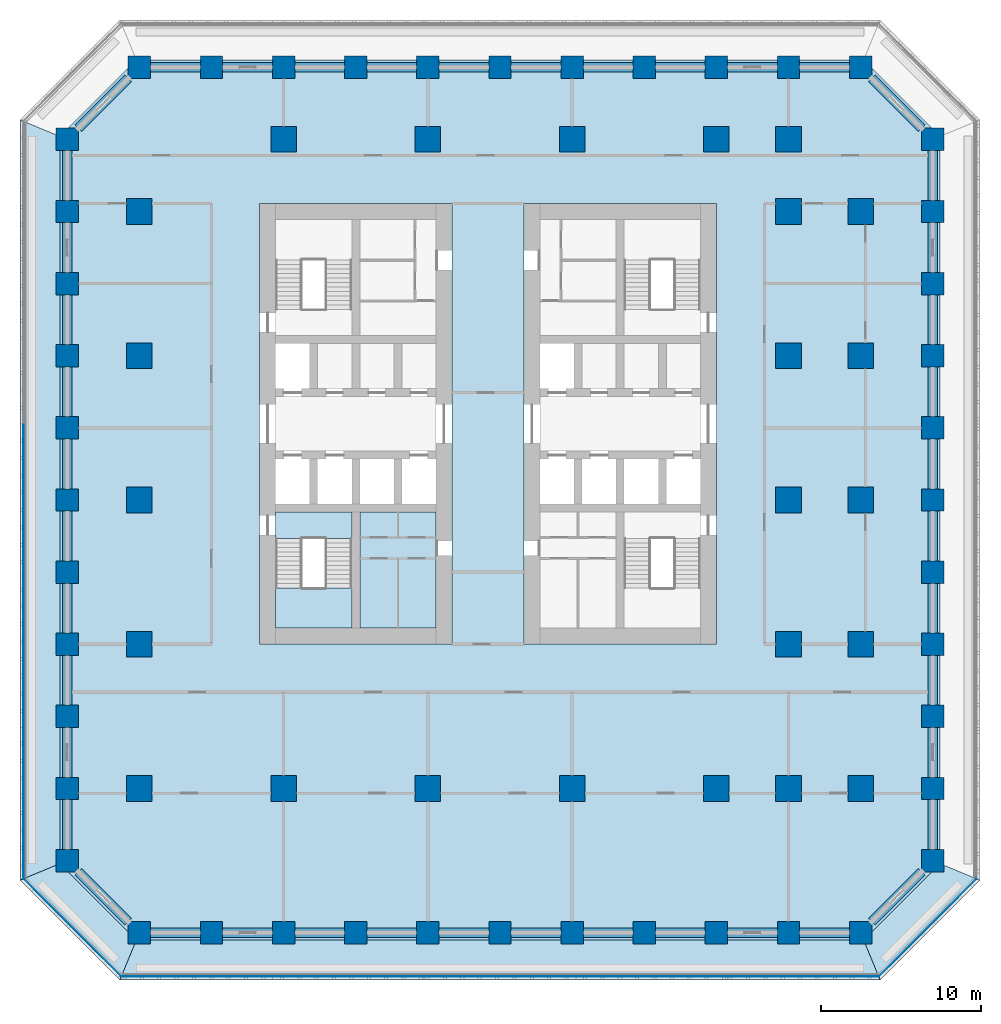
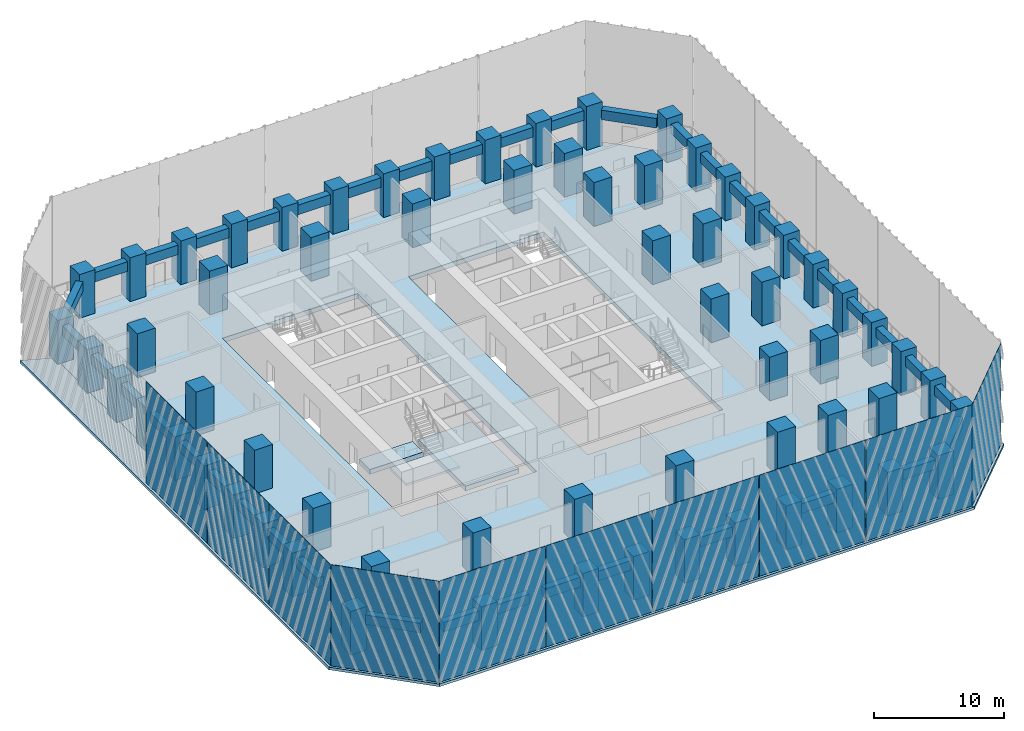
# One storey, part 1 of 13: 68 columns, 44 beams, 10 plates, 8 slabs, 1 element without a shape of its own.
"""IFC4 building model written with IfcOpenShell, lengths in metres."""

from ifc_helpers import new_model, si_unit, direction, frame, origin, origin_2d, place, context, subcontext, project, spatial, polyline, rectangle, outline, extrude, material, layer, layer_set, material_profile, profile_set, type_object, element, aggregate, save


model = new_model("IFC4")

# Units and contexts
model_context = context("Model", 3, precision=1e-05, world=origin(), true_north=direction((0.0, 1.0)))
body_context = subcontext(model_context, "Body", "Model", "MODEL_VIEW")
ifc_project = project(units=[si_unit("LENGTHUNIT", "METRE"), si_unit("AREAUNIT", "SQUARE_METRE"), si_unit("VOLUMEUNIT", "CUBIC_METRE"), si_unit("PLANEANGLEUNIT", "RADIAN"), si_unit("MASSUNIT", "GRAM", prefix="KILO")], contexts=[model_context])

# Site, building, storey
site_placement = place(None, origin())
site = spatial("IfcSite", under=ifc_project, at=site_placement, CompositionType="ELEMENT")
building_placement = place(site_placement, origin())
building = spatial("IfcBuilding", under=site, at=building_placement, Name="Corbel Stack Research Tower", CompositionType="ELEMENT")
storey_placement = place(building_placement, frame((0.0, 0.0, 66.5)))
storey = spatial("IfcBuildingStorey", under=building, at=storey_placement, Name="L15", CompositionType="ELEMENT", Elevation=66.5)

# Columns
ifc_material_1 = material(Name="Concrete C70/85", Category="concrete")
ifc_material_profile_1 = material_profile(ifc_material_1, rectangle(XDim=1.39990234375, YDim=1.39990234375, at=origin_2d()), Name="RC 1400 x 1400")
ifc_profile_set_1 = profile_set([ifc_material_profile_1], Name="Concrete C70/85")
column_type_1 = type_object("IfcColumnType", Name="C-1400-70", PredefinedType="COLUMN", material=ifc_profile_set_1)
for number, where, z_axis, x_axis, name in (
    (1, (-22.5, -22.5, 0.0), (0.0, 0.0, 1.0), (1.0, 0.0, 0.0), "Column 3/C L15"),
    (2, (-22.5, -18.0, 0.0), (0.0, 0.0, 1.0), (1.0, 0.0, 0.0), "Column 3/D L15"),
    (3, (-22.5, -13.5, 0.0), (0.0, 0.0, 1.0), (1.0, 0.0, 0.0), "Column 3/E L15"),
    (4, (-22.5, -9.0, 0.0), (0.0, 0.0, 1.0), (1.0, 0.0, 0.0), "Column 3/F L15"),
    (5, (-22.5, -4.5, 0.0), (0.0, 0.0, 1.0), (1.0, 0.0, 0.0), "Column 3/G L15"),
    (6, (-22.5, 0.0, 0.0), (0.0, 0.0, 1.0), (1.0, 0.0, 0.0), "Column 3/H L15"),
    (7, (-22.5, 4.5, 0.0), (0.0, 0.0, 1.0), (1.0, 0.0, 0.0), "Column 3/J L15"),
    (8, (-22.5, 9.0, 0.0), (0.0, 0.0, 1.0), (1.0, 0.0, 0.0), "Column 3/K L15"),
    (9, (-22.5, 13.5, 0.0), (0.0, 0.0, 1.0), (1.0, 0.0, 0.0), "Column 3/L L15"),
    (10, (-22.5, 18.0, 0.0), (0.0, 0.0, 1.0), (1.0, 0.0, 0.0), "Column 3/M L15"),
    (11, (-22.5, 22.5, 0.0), (0.0, 0.0, 1.0), (1.0, 0.0, 0.0), "Column 3/N L15"),
    (12, (-18.0, -27.0, 0.0), (0.0, 0.0, 1.0), (1.0, 0.0, 0.0), "Column 4/B L15"),
    (13, (-18.0, 27.0, 0.0), (0.0, 0.0, 1.0), (1.0, 0.0, 0.0), "Column 4/P L15"),
    (14, (-13.5, -27.0, 0.0), (0.0, 0.0, 1.0), (1.0, 0.0, 0.0), "Column 5/B L15"),
    (15, (-13.5, 27.0, 0.0), (0.0, 0.0, 1.0), (1.0, 0.0, 0.0), "Column 5/P L15"),
    (16, (-9.0, -27.0, 0.0), (0.0, 0.0, 1.0), (1.0, 0.0, 0.0), "Column 6/B L15"),
    (17, (-9.0, 27.0, 0.0), (0.0, 0.0, 1.0), (1.0, 0.0, 0.0), "Column 6/P L15"),
    (18, (-4.5, -27.0, 0.0), (0.0, 0.0, 1.0), (1.0, 0.0, 0.0), "Column 7/B L15"),
    (19, (-4.5, 27.0, 0.0), (0.0, 0.0, 1.0), (1.0, 0.0, 0.0), "Column 7/P L15"),
    (20, (0.0, -27.0, 0.0), (0.0, 0.0, 1.0), (1.0, 0.0, 0.0), "Column 8/B L15"),
    (21, (0.0, 27.0, 0.0), (0.0, 0.0, 1.0), (1.0, 0.0, 0.0), "Column 8/P L15"),
    (22, (4.5, -27.0, 0.0), (0.0, 0.0, 1.0), (1.0, 0.0, 0.0), "Column 9/B L15"),
    (23, (4.5, 27.0, 0.0), (0.0, 0.0, 1.0), (1.0, 0.0, 0.0), "Column 9/P L15"),
    (24, (9.0, -27.0, 0.0), (0.0, 0.0, 1.0), (1.0, 0.0, 0.0), "Column 10/B L15"),
    (25, (9.0, 27.0, 0.0), (0.0, 0.0, 1.0), (1.0, 0.0, 0.0), "Column 10/P L15"),
    (26, (13.5, -27.0, 0.0), (0.0, 0.0, 1.0), (1.0, 0.0, 0.0), "Column 11/B L15"),
    (27, (13.5, 27.0, 0.0), (0.0, 0.0, 1.0), (1.0, 0.0, 0.0), "Column 11/P L15"),
    (28, (18.0, -27.0, 0.0), (0.0, 0.0, 1.0), (1.0, 0.0, 0.0), "Column 12/B L15"),
    (29, (18.0, 27.0, 0.0), (0.0, 0.0, 1.0), (1.0, 0.0, 0.0), "Column 12/P L15"),
    (30, (22.5, -27.0, 0.0), (0.0, 0.0, 1.0), (1.0, 0.0, 0.0), "Column 13/B L15"),
    (31, (22.5, 27.0, 0.0), (0.0, 0.0, 1.0), (1.0, 0.0, 0.0), "Column 13/P L15"),
    (32, (27.0, -27.0, 0.0), (0.0, 0.0, 1.0), (1.0, 0.0, 0.0), "Column 14/B L15"),
    (33, (27.0, 27.0, 0.0), (0.0, 0.0, 1.0), (1.0, 0.0, 0.0), "Column 14/P L15"),
    (34, (31.5, -22.5, 0.0), (0.0, 0.0, 1.0), (1.0, 0.0, 0.0), "Column 15/C L15"),
    (35, (31.5, -18.0, 0.0), (0.0, 0.0, 1.0), (1.0, 0.0, 0.0), "Column 15/D L15"),
    (36, (31.5, -13.5, 0.0), (0.0, 0.0, 1.0), (1.0, 0.0, 0.0), "Column 15/E L15"),
    (37, (31.5, -9.0, 0.0), (0.0, 0.0, 1.0), (1.0, 0.0, 0.0), "Column 15/F L15"),
    (38, (31.5, -4.5, 0.0), (0.0, 0.0, 1.0), (1.0, 0.0, 0.0), "Column 15/G L15"),
    (39, (31.5, 0.0, 0.0), (0.0, 0.0, 1.0), (1.0, 0.0, 0.0), "Column 15/H L15"),
    (40, (31.5, 4.5, 0.0), (0.0, 0.0, 1.0), (1.0, 0.0, 0.0), "Column 15/J L15"),
    (41, (31.5, 9.0, 0.0), (0.0, 0.0, 1.0), (1.0, 0.0, 0.0), "Column 15/K L15"),
    (42, (31.5, 13.5, 0.0), (0.0, 0.0, 1.0), (1.0, 0.0, 0.0), "Column 15/L L15"),
    (43, (31.5, 18.0, 0.0), (0.0, 0.0, 1.0), (1.0, 0.0, 0.0), "Column 15/M L15"),
    (44, (31.5, 22.5, 0.0), (0.0, 0.0, 1.0), (1.0, 0.0, 0.0), "Column 15/N L15"),
):
    element("IfcColumn", number, at=place(storey_placement, frame(where, z_axis=z_axis, x_axis=x_axis)), inside=storey, type_object=column_type_1, Name=name, PredefinedType="COLUMN", context=body_context, shape_type="SweptSolid", body=[
        extrude(rectangle(XDim=1.39990234375, YDim=1.39990234375, at=origin_2d()), origin(), (0.0, 0.0, 1.0), 4.10009765625),
    ])
ifc_material_2 = material(Name="Concrete C70/85", Category="concrete")
ifc_material_profile_2 = material_profile(ifc_material_2, rectangle(XDim=1.60009765625, YDim=1.60009765625, at=origin_2d()), Name="RC 1600 x 1600")
ifc_profile_set_2 = profile_set([ifc_material_profile_2], Name="Concrete C70/85")
column_type_2 = type_object("IfcColumnType", Name="C-1600-70", PredefinedType="COLUMN", material=ifc_profile_set_2)
for number, where, z_axis, x_axis, name in (
    (45, (-18.0, -18.0, 0.0), (0.0, 0.0, 1.0), (1.0, 0.0, 0.0), "Column 4/D L15"),
    (46, (-18.0, -9.0, 0.0), (0.0, 0.0, 1.0), (1.0, 0.0, 0.0), "Column 4/F L15"),
    (47, (-18.0, 0.0, 0.0), (0.0, 0.0, 1.0), (1.0, 0.0, 0.0), "Column 4/H L15"),
    (48, (-18.0, 9.0, 0.0), (0.0, 0.0, 1.0), (1.0, 0.0, 0.0), "Column 4/K L15"),
    (49, (-18.0, 18.0, 0.0), (0.0, 0.0, 1.0), (1.0, 0.0, 0.0), "Column 4/M L15"),
    (50, (-9.0, -18.0, 0.0), (0.0, 0.0, 1.0), (1.0, 0.0, 0.0), "Column 6/D L15"),
    (51, (-9.0, 22.5, 0.0), (0.0, 0.0, 1.0), (1.0, 0.0, 0.0), "Column 6/N L15"),
    (52, (0.0, -18.0, 0.0), (0.0, 0.0, 1.0), (1.0, 0.0, 0.0), "Column 8/D L15"),
    (53, (0.0, 22.5, 0.0), (0.0, 0.0, 1.0), (1.0, 0.0, 0.0), "Column 8/N L15"),
    (54, (9.0, -18.0, 0.0), (0.0, 0.0, 1.0), (1.0, 0.0, 0.0), "Column 10/D L15"),
    (55, (9.0, 22.5, 0.0), (0.0, 0.0, 1.0), (1.0, 0.0, 0.0), "Column 10/N L15"),
    (56, (18.0, -18.0, 0.0), (0.0, 0.0, 1.0), (1.0, 0.0, 0.0), "Column 12/D L15"),
    (57, (18.0, 22.5, 0.0), (0.0, 0.0, 1.0), (1.0, 0.0, 0.0), "Column 12/N L15"),
    (58, (22.5, -18.0, 0.0), (0.0, 0.0, 1.0), (1.0, 0.0, 0.0), "Column 13/D L15"),
    (59, (22.5, -9.0, 0.0), (0.0, 0.0, 1.0), (1.0, 0.0, 0.0), "Column 13/F L15"),
    (60, (22.5, 0.0, 0.0), (0.0, 0.0, 1.0), (1.0, 0.0, 0.0), "Column 13/H L15"),
    (61, (22.5, 9.0, 0.0), (0.0, 0.0, 1.0), (1.0, 0.0, 0.0), "Column 13/K L15"),
    (62, (22.5, 18.0, 0.0), (0.0, 0.0, 1.0), (1.0, 0.0, 0.0), "Column 13/M L15"),
    (63, (22.5, 22.5, 0.0), (0.0, 0.0, 1.0), (1.0, 0.0, 0.0), "Column 13/N L15"),
    (64, (27.0, -18.0, 0.0), (0.0, 0.0, 1.0), (1.0, 0.0, 0.0), "Column 14/D L15"),
    (65, (27.0, -9.0, 0.0), (0.0, 0.0, 1.0), (1.0, 0.0, 0.0), "Column 14/F L15"),
    (66, (27.0, 0.0, 0.0), (0.0, 0.0, 1.0), (1.0, 0.0, 0.0), "Column 14/H L15"),
    (67, (27.0, 9.0, 0.0), (0.0, 0.0, 1.0), (1.0, 0.0, 0.0), "Column 14/K L15"),
    (68, (27.0, 18.0, 0.0), (0.0, 0.0, 1.0), (1.0, 0.0, 0.0), "Column 14/M L15"),
):
    element("IfcColumn", number, at=place(storey_placement, frame(where, z_axis=z_axis, x_axis=x_axis)), inside=storey, type_object=column_type_2, Name=name, PredefinedType="COLUMN", context=body_context, shape_type="SweptSolid", body=[
        extrude(rectangle(XDim=1.60009765625, YDim=1.60009765625, at=origin_2d()), origin(), (0.0, 0.0, 1.0), 4.10009765625),
    ])

# Beams
ifc_material_3 = material(Name="Concrete C60/75", Category="concrete")
ifc_material_profile_3 = material_profile(ifc_material_3, rectangle(XDim=0.60009765625, YDim=0.89990234375, at=origin_2d()), Name="RC 600 x 900")
ifc_profile_set_3 = profile_set([ifc_material_profile_3], Name="Concrete C60/75")
beam_type = type_object("IfcBeamType", Name="SB-600-900-600", PredefinedType="SPANDREL", material=ifc_profile_set_3)
for number, where, z_axis, x_axis, name in (
    (69, (-17.300048828125, -27.0, 3.050048828125), (1.0, 0.0, 0.0), (0.0, 1.0, 0.0), "Spandrel beam L15-01"),
    (70, (-12.800048828125, -27.0, 3.050048828125), (1.0, 0.0, 0.0), (0.0, 1.0, 0.0), "Spandrel beam L15-02"),
    (71, (-8.300048828125, -27.0, 3.050048828125), (1.0, 0.0, 0.0), (0.0, 1.0, 0.0), "Spandrel beam L15-03"),
    (72, (-3.800048828125, -27.0, 3.050048828125), (1.0, 0.0, 0.0), (0.0, 1.0, 0.0), "Spandrel beam L15-04"),
    (73, (0.699951171875, -27.0, 3.050048828125), (1.0, 0.0, 0.0), (0.0, 1.0, 0.0), "Spandrel beam L15-05"),
    (74, (5.199951171875, -27.0, 3.050048828125), (1.0, 0.0, 0.0), (0.0, 1.0, 0.0), "Spandrel beam L15-06"),
    (75, (9.699951171875, -27.0, 3.050048828125), (1.0, 0.0, 0.0), (0.0, 1.0, 0.0), "Spandrel beam L15-07"),
    (76, (14.199951171875, -27.0, 3.050048828125), (1.0, 0.0, 0.0), (0.0, 1.0, 0.0), "Spandrel beam L15-08"),
    (77, (18.699951171875, -27.0, 3.050048828125), (1.0, 0.0, 0.0), (0.0, 1.0, 0.0), "Spandrel beam L15-09"),
    (78, (23.199951171875, -27.0, 3.050048828125), (1.0, 0.0, 0.0), (0.0, 1.0, 0.0), "Spandrel beam L15-10"),
):
    element("IfcBeam", number, at=place(storey_placement, frame(where, z_axis=z_axis, x_axis=x_axis)), inside=storey, type_object=beam_type, Name=name, PredefinedType="SPANDREL", context=body_context, shape_type="SweptSolid", body=[
        extrude(rectangle(XDim=0.60009765625, YDim=0.89990234375, at=origin_2d()), origin(), (0.0, 0.0, 1.0), 3.10009765625),
    ])
beam_1_placement = place(storey_placement, frame((27.699951171875, -26.300048828125, 3.050048828125), z_axis=(0.707106781187, 0.707106781187, 0.0), x_axis=(-0.707106781187, 0.707106781187, 0.0)))
element("IfcBeam", 79, at=beam_1_placement, inside=storey, type_object=beam_type, Name="Spandrel beam L15-11", PredefinedType="SPANDREL", context=body_context, shape_type="SweptSolid", body=[
    extrude(rectangle(XDim=0.60009765625, YDim=0.89990234375, at=origin_2d()), origin(), (0.0, 0.0, 1.0), 4.38427734375),
])
for number, where, z_axis, x_axis, name in (
    (80, (31.5, -21.800048828125, 3.050048828125), (0.0, 1.0, 0.0), (-1.0, 0.0, 0.0), "Spandrel beam L15-12"),
    (81, (31.5, -17.300048828125, 3.050048828125), (0.0, 1.0, 0.0), (-1.0, 0.0, 0.0), "Spandrel beam L15-13"),
    (82, (31.5, -12.800048828125, 3.050048828125), (0.0, 1.0, 0.0), (-1.0, 0.0, 0.0), "Spandrel beam L15-14"),
    (83, (31.5, -8.300048828125, 3.050048828125), (0.0, 1.0, 0.0), (-1.0, 0.0, 0.0), "Spandrel beam L15-15"),
    (84, (31.5, -3.800048828125, 3.050048828125), (0.0, 1.0, 0.0), (-1.0, 0.0, 0.0), "Spandrel beam L15-16"),
    (85, (31.5, 0.699951171875, 3.050048828125), (0.0, 1.0, 0.0), (-1.0, 0.0, 0.0), "Spandrel beam L15-17"),
    (86, (31.5, 5.199951171875, 3.050048828125), (0.0, 1.0, 0.0), (-1.0, 0.0, 0.0), "Spandrel beam L15-18"),
    (87, (31.5, 9.699951171875, 3.050048828125), (0.0, 1.0, 0.0), (-1.0, 0.0, 0.0), "Spandrel beam L15-19"),
    (88, (31.5, 14.199951171875, 3.050048828125), (0.0, 1.0, 0.0), (-1.0, 0.0, 0.0), "Spandrel beam L15-20"),
    (89, (31.5, 18.699951171875, 3.050048828125), (0.0, 1.0, 0.0), (-1.0, 0.0, 0.0), "Spandrel beam L15-21"),
):
    element("IfcBeam", number, at=place(storey_placement, frame(where, z_axis=z_axis, x_axis=x_axis)), inside=storey, type_object=beam_type, Name=name, PredefinedType="SPANDREL", context=body_context, shape_type="SweptSolid", body=[
        extrude(rectangle(XDim=0.60009765625, YDim=0.89990234375, at=origin_2d()), origin(), (0.0, 0.0, 1.0), 3.10009765625),
    ])
beam_2_placement = place(storey_placement, frame((30.800048828125, 23.199951171875, 3.050048828125), z_axis=(-0.707106781187, 0.707106781187, 0.0), x_axis=(-0.707106781187, -0.707106781187, 0.0)))
element("IfcBeam", 90, at=beam_2_placement, inside=storey, type_object=beam_type, Name="Spandrel beam L15-22", PredefinedType="SPANDREL", context=body_context, shape_type="SweptSolid", body=[
    extrude(rectangle(XDim=0.60009765625, YDim=0.89990234375, at=origin_2d()), origin(), (0.0, 0.0, 1.0), 4.38427734375),
])
for number, where, z_axis, x_axis, name in (
    (91, (26.300048828125, 27.0, 3.050048828125), (-1.0, 0.0, 0.0), (0.0, -1.0, 0.0), "Spandrel beam L15-23"),
    (92, (21.800048828125, 27.0, 3.050048828125), (-1.0, 0.0, 0.0), (0.0, -1.0, 0.0), "Spandrel beam L15-24"),
    (93, (17.300048828125, 27.0, 3.050048828125), (-1.0, 0.0, 0.0), (0.0, -1.0, 0.0), "Spandrel beam L15-25"),
    (94, (12.800048828125, 27.0, 3.050048828125), (-1.0, 0.0, 0.0), (0.0, -1.0, 0.0), "Spandrel beam L15-26"),
    (95, (8.300048828125, 27.0, 3.050048828125), (-1.0, 0.0, 0.0), (0.0, -1.0, 0.0), "Spandrel beam L15-27"),
    (96, (3.800048828125, 27.0, 3.050048828125), (-1.0, 0.0, 0.0), (0.0, -1.0, 0.0), "Spandrel beam L15-28"),
    (97, (-0.699951171875, 27.0, 3.050048828125), (-1.0, 0.0, 0.0), (0.0, -1.0, 0.0), "Spandrel beam L15-29"),
    (98, (-5.199951171875, 27.0, 3.050048828125), (-1.0, 0.0, 0.0), (0.0, -1.0, 0.0), "Spandrel beam L15-30"),
    (99, (-9.699951171875, 27.0, 3.050048828125), (-1.0, 0.0, 0.0), (0.0, -1.0, 0.0), "Spandrel beam L15-31"),
    (100, (-14.199951171875, 27.0, 3.050048828125), (-1.0, 0.0, 0.0), (0.0, -1.0, 0.0), "Spandrel beam L15-32"),
):
    element("IfcBeam", number, at=place(storey_placement, frame(where, z_axis=z_axis, x_axis=x_axis)), inside=storey, type_object=beam_type, Name=name, PredefinedType="SPANDREL", context=body_context, shape_type="SweptSolid", body=[
        extrude(rectangle(XDim=0.60009765625, YDim=0.89990234375, at=origin_2d()), origin(), (0.0, 0.0, 1.0), 3.10009765625),
    ])
beam_3_placement = place(storey_placement, frame((-18.699951171875, 26.300048828125, 3.050048828125), z_axis=(-0.707106781187, -0.707106781187, 0.0), x_axis=(0.707106781187, -0.707106781187, 0.0)))
element("IfcBeam", 101, at=beam_3_placement, inside=storey, type_object=beam_type, Name="Spandrel beam L15-33", PredefinedType="SPANDREL", context=body_context, shape_type="SweptSolid", body=[
    extrude(rectangle(XDim=0.60009765625, YDim=0.89990234375, at=origin_2d()), origin(), (0.0, 0.0, 1.0), 4.38427734375),
])
for number, where, z_axis, x_axis, name in (
    (102, (-22.5, 21.800048828125, 3.050048828125), (0.0, -1.0, 0.0), (1.0, 0.0, 0.0), "Spandrel beam L15-34"),
    (103, (-22.5, 17.300048828125, 3.050048828125), (0.0, -1.0, 0.0), (1.0, 0.0, 0.0), "Spandrel beam L15-35"),
    (104, (-22.5, 12.800048828125, 3.050048828125), (0.0, -1.0, 0.0), (1.0, 0.0, 0.0), "Spandrel beam L15-36"),
    (105, (-22.5, 8.300048828125, 3.050048828125), (0.0, -1.0, 0.0), (1.0, 0.0, 0.0), "Spandrel beam L15-37"),
    (106, (-22.5, 3.800048828125, 3.050048828125), (0.0, -1.0, 0.0), (1.0, 0.0, 0.0), "Spandrel beam L15-38"),
    (107, (-22.5, -0.699951171875, 3.050048828125), (0.0, -1.0, 0.0), (1.0, 0.0, 0.0), "Spandrel beam L15-39"),
    (108, (-22.5, -5.199951171875, 3.050048828125), (0.0, -1.0, 0.0), (1.0, 0.0, 0.0), "Spandrel beam L15-40"),
    (109, (-22.5, -9.699951171875, 3.050048828125), (0.0, -1.0, 0.0), (1.0, 0.0, 0.0), "Spandrel beam L15-41"),
    (110, (-22.5, -14.199951171875, 3.050048828125), (0.0, -1.0, 0.0), (1.0, 0.0, 0.0), "Spandrel beam L15-42"),
    (111, (-22.5, -18.699951171875, 3.050048828125), (0.0, -1.0, 0.0), (1.0, 0.0, 0.0), "Spandrel beam L15-43"),
):
    element("IfcBeam", number, at=place(storey_placement, frame(where, z_axis=z_axis, x_axis=x_axis)), inside=storey, type_object=beam_type, Name=name, PredefinedType="SPANDREL", context=body_context, shape_type="SweptSolid", body=[
        extrude(rectangle(XDim=0.60009765625, YDim=0.89990234375, at=origin_2d()), origin(), (0.0, 0.0, 1.0), 3.10009765625),
    ])
beam_4_placement = place(storey_placement, frame((-21.800048828125, -23.199951171875, 3.050048828125), z_axis=(0.707106781187, -0.707106781187, 0.0), x_axis=(0.707106781187, 0.707106781187, 0.0)))
element("IfcBeam", 112, at=beam_4_placement, inside=storey, type_object=beam_type, Name="Spandrel beam L15-44", PredefinedType="SPANDREL", context=body_context, shape_type="SweptSolid", body=[
    extrude(rectangle(XDim=0.60009765625, YDim=0.89990234375, at=origin_2d()), origin(), (0.0, 0.0, 1.0), 4.38427734375),
])

# Plates
ifc_material_4 = material(Name="Fritted glass", Category="glass")
ifc_layer_1 = layer(ifc_material_4, 0.02490234375)
ifc_layer_set_1 = layer_set([ifc_layer_1], Name="Fritted glass")
plate_type = type_object("IfcPlateType", Name="Fritted glass panel 25", PredefinedType="SHEET", material=ifc_layer_set_1)
for number, where, z_axis, x_axis, name in (
    (113, (-14.411376953125, -29.737548828125, 0.0), (0.0, 0.0, 1.0), (1.0, 0.0, 0.0), "Fritted glass L15 S1"),
    (114, (-4.95556640625, -29.737548828125, 0.0), (0.0, 0.0, 1.0), (1.0, 0.0, 0.0), "Fritted glass L15 S2"),
    (115, (4.5, -29.737548828125, 0.0), (0.0, 0.0, 1.0), (1.0, 0.0, 0.0), "Fritted glass L15 S3"),
    (116, (13.95556640625, -29.737548828125, 0.0), (0.0, 0.0, 1.0), (1.0, 0.0, 0.0), "Fritted glass L15 S4"),
    (117, (23.411376953125, -29.737548828125, 0.0), (0.0, 0.0, 1.0), (1.0, 0.0, 0.0), "Fritted glass L15 S5"),
):
    element("IfcPlate", number, at=place(storey_placement, frame(where, z_axis=z_axis, x_axis=x_axis)), inside=storey, type_object=plate_type, Name=name, PredefinedType="SHEET", context=body_context, shape_type="SweptSolid", body=[
        extrude(rectangle(XDim=9.3955078125, YDim=0.02490234375, at=origin_2d()), origin(), (0.0, 0.0, 1.0), 9.5),
    ])
plate_1_placement = place(storey_placement, frame((31.185791015625, -26.685791015625, 0.0), z_axis=(0.0, 0.0, 1.0), x_axis=(0.707106781187, 0.707106781187, 0.0)))
element("IfcPlate", 118, at=plate_1_placement, inside=storey, type_object=plate_type, Name="Fritted glass L15 SE1", PredefinedType="SHEET", context=body_context, shape_type="SweptSolid", body=[
    extrude(rectangle(XDim=8.58203125, YDim=0.02490234375, at=origin_2d()), origin(), (0.0, 0.0, 1.0), 9.5),
])
for number, where, z_axis, x_axis, name in (
    (119, (-25.237548828125, 0.0, 0.0), (0.0, 0.0, 1.0), (0.0, -1.0, 0.0), "Fritted glass L15 W3"),
    (120, (-25.237548828125, -9.45556640625, 0.0), (0.0, 0.0, 1.0), (0.0, -1.0, 0.0), "Fritted glass L15 W4"),
    (121, (-25.237548828125, -18.911376953125, 0.0), (0.0, 0.0, 1.0), (0.0, -1.0, 0.0), "Fritted glass L15 W5"),
):
    element("IfcPlate", number, at=place(storey_placement, frame(where, z_axis=z_axis, x_axis=x_axis)), inside=storey, type_object=plate_type, Name=name, PredefinedType="SHEET", context=body_context, shape_type="SweptSolid", body=[
        extrude(rectangle(XDim=9.3955078125, YDim=0.02490234375, at=origin_2d()), origin(), (0.0, 0.0, 1.0), 9.5),
    ])
plate_2_placement = place(storey_placement, frame((-22.185791015625, -26.685791015625, 0.0), z_axis=(0.0, 0.0, 1.0), x_axis=(0.707106781187, -0.707106781187, 0.0)))
element("IfcPlate", 122, at=plate_2_placement, inside=storey, type_object=plate_type, Name="Fritted glass L15 SW1", PredefinedType="SHEET", context=body_context, shape_type="SweptSolid", body=[
    extrude(rectangle(XDim=8.58203125, YDim=0.02490234375, at=origin_2d()), origin(), (0.0, 0.0, 1.0), 9.5),
])

# Slabs
ifc_material_5 = material(Name="Concrete C45/55", Category="concrete")
ifc_layer_2 = layer(ifc_material_5, 0.25)
ifc_layer_set_2 = layer_set([ifc_layer_2], Name="Concrete C45/55")
slab_type_1 = type_object("IfcSlabType", Name="PT balcony slab 250 C45/55", PredefinedType="FLOOR", material=ifc_layer_set_2)
slab_1_placement = place(storey_placement, frame((0.0, 0.0, -0.25)))
element("IfcSlab", 123, at=slab_1_placement, inside=storey, type_object=slab_type_1, Name="Loggia slab L15 S", PredefinedType="FLOOR", context=body_context, shape_type="SweptSolid", body=[
    extrude(outline(polyline([(27.289794921875, -27.699951171875), (26.300048828125, -27.699951171875), (26.300048828125, -27.449951171875), (23.199951171875, -27.449951171875), (23.199951171875, -27.699951171875), (21.800048828125, -27.699951171875), (21.800048828125, -27.449951171875), (18.699951171875, -27.449951171875), (18.699951171875, -27.699951171875), (17.300048828125, -27.699951171875), (17.300048828125, -27.449951171875), (14.199951171875, -27.449951171875), (14.199951171875, -27.699951171875), (12.800048828125, -27.699951171875), (12.800048828125, -27.449951171875), (9.699951171875, -27.449951171875), (9.699951171875, -27.699951171875), (8.300048828125, -27.699951171875), (8.300048828125, -27.449951171875), (5.199951171875, -27.449951171875), (5.199951171875, -27.699951171875), (3.800048828125, -27.699951171875), (3.800048828125, -27.449951171875), (0.699951171875, -27.449951171875), (0.699951171875, -27.699951171875), (-0.699951171875, -27.699951171875), (-0.699951171875, -27.449951171875), (-3.800048828125, -27.449951171875), (-3.800048828125, -27.699951171875), (-5.199951171875, -27.699951171875), (-5.199951171875, -27.449951171875), (-8.300048828125, -27.449951171875), (-8.300048828125, -27.699951171875), (-9.699951171875, -27.699951171875), (-9.699951171875, -27.449951171875), (-12.800048828125, -27.449951171875), (-12.800048828125, -27.699951171875), (-14.199951171875, -27.699951171875), (-14.199951171875, -27.449951171875), (-17.300048828125, -27.449951171875), (-17.300048828125, -27.699951171875), (-18.289794921875, -27.699951171875), (-19.221923828125, -29.949951171875), (28.221923828125, -29.949951171875), (27.289794921875, -27.699951171875)])), origin(), (0.0, 0.0, 1.0), 0.25),
])
slab_2_placement = place(storey_placement, frame((0.0, 0.0, -0.25)))
element("IfcSlab", 124, at=slab_2_placement, inside=storey, type_object=slab_type_1, Name="Loggia slab L15 SE", PredefinedType="FLOOR", context=body_context, shape_type="SweptSolid", body=[
    extrude(outline(polyline([(32.199951171875, -22.789794921875), (32.199951171875, -23.199951171875), (31.436279296875, -23.199951171875), (27.699951171875, -26.936279296875), (27.699951171875, -27.699951171875), (27.289794921875, -27.699951171875), (28.221923828125, -29.949951171875), (34.449951171875, -23.721923828125), (32.199951171875, -22.789794921875)])), origin(), (0.0, 0.0, 1.0), 0.25),
])
slab_3_placement = place(storey_placement, frame((0.0, 0.0, -0.25)))
element("IfcSlab", 125, at=slab_3_placement, inside=storey, type_object=slab_type_1, Name="Loggia slab L15 W", PredefinedType="FLOOR", context=body_context, shape_type="SweptSolid", body=[
    extrude(outline(polyline([(-23.199951171875, -22.789794921875), (-23.199951171875, -21.800048828125), (-22.949951171875, -21.800048828125), (-22.949951171875, -18.699951171875), (-23.199951171875, -18.699951171875), (-23.199951171875, -17.300048828125), (-22.949951171875, -17.300048828125), (-22.949951171875, -14.199951171875), (-23.199951171875, -14.199951171875), (-23.199951171875, -12.800048828125), (-22.949951171875, -12.800048828125), (-22.949951171875, -9.699951171875), (-23.199951171875, -9.699951171875), (-23.199951171875, -8.300048828125), (-22.949951171875, -8.300048828125), (-22.949951171875, -5.199951171875), (-23.199951171875, -5.199951171875), (-23.199951171875, -3.800048828125), (-22.949951171875, -3.800048828125), (-22.949951171875, -0.699951171875), (-23.199951171875, -0.699951171875), (-23.199951171875, 0.699951171875), (-22.949951171875, 0.699951171875), (-22.949951171875, 3.800048828125), (-23.199951171875, 3.800048828125), (-23.199951171875, 5.199951171875), (-22.949951171875, 5.199951171875), (-22.949951171875, 8.300048828125), (-23.199951171875, 8.300048828125), (-23.199951171875, 9.699951171875), (-22.949951171875, 9.699951171875), (-22.949951171875, 12.800048828125), (-23.199951171875, 12.800048828125), (-23.199951171875, 14.199951171875), (-22.949951171875, 14.199951171875), (-22.949951171875, 17.300048828125), (-23.199951171875, 17.300048828125), (-23.199951171875, 18.699951171875), (-22.949951171875, 18.699951171875), (-22.949951171875, 21.800048828125), (-23.199951171875, 21.800048828125), (-23.199951171875, 22.789794921875), (-25.449951171875, 23.721923828125), (-25.449951171875, -23.721923828125), (-23.199951171875, -22.789794921875)])), origin(), (0.0, 0.0, 1.0), 0.25),
])
slab_4_placement = place(storey_placement, frame((0.0, 0.0, -0.25)))
element("IfcSlab", 126, at=slab_4_placement, inside=storey, type_object=slab_type_1, Name="Loggia slab L15 SW", PredefinedType="FLOOR", context=body_context, shape_type="SweptSolid", body=[
    extrude(outline(polyline([(-18.289794921875, -27.699951171875), (-18.699951171875, -27.699951171875), (-18.699951171875, -26.936279296875), (-22.436279296875, -23.199951171875), (-23.199951171875, -23.199951171875), (-23.199951171875, -22.789794921875), (-25.449951171875, -23.721923828125), (-19.221923828125, -29.949951171875), (-18.289794921875, -27.699951171875)])), origin(), (0.0, 0.0, 1.0), 0.25),
])
ifc_material_6 = material(Name="Concrete C45/55", Category="concrete")
ifc_layer_3 = layer(ifc_material_6, 0.449951171875)
ifc_layer_set_3 = layer_set([ifc_layer_3], Name="Concrete C45/55")
slab_type_2 = type_object("IfcSlabType", Name="PT-450", PredefinedType="FLOOR", material=ifc_layer_set_3)
slab_5_placement = place(storey_placement, frame((0.0, 0.0, -0.449951171875)))
element("IfcSlab", 127, at=slab_5_placement, inside=storey, type_object=slab_type_2, Name="Floor slab L15", PredefinedType="FLOOR", context=body_context, shape_type="SweptSolid", body=[
    extrude(outline(polyline([(-18.186279296875, -27.449951171875), (27.186279296875, -27.449951171875), (31.949951171875, -22.686279296875), (31.949951171875, 22.686279296875), (27.186279296875, 27.449951171875), (-18.186279296875, 27.449951171875), (-22.949951171875, 22.686279296875), (-22.949951171875, -22.686279296875), (-18.186279296875, -27.449951171875)]), holes=[polyline([(26.199951171875, 17.199951171875), (26.199951171875, 18.800048828125), (27.800048828125, 18.800048828125), (27.800048828125, 17.199951171875), (26.199951171875, 17.199951171875)]), polyline([(26.199951171875, 8.199951171875), (26.199951171875, 9.800048828125), (27.800048828125, 9.800048828125), (27.800048828125, 8.199951171875), (26.199951171875, 8.199951171875)]), polyline([(27.800048828125, -0.800048828125), (26.199951171875, -0.800048828125), (26.199951171875, 0.800048828125), (27.800048828125, 0.800048828125), (27.800048828125, -0.800048828125)]), polyline([(26.199951171875, -9.800048828125), (26.199951171875, -8.199951171875), (27.800048828125, -8.199951171875), (27.800048828125, -9.800048828125), (26.199951171875, -9.800048828125)]), polyline([(26.199951171875, -18.800048828125), (26.199951171875, -17.199951171875), (27.800048828125, -17.199951171875), (27.800048828125, -18.800048828125), (26.199951171875, -18.800048828125)]), polyline([(21.699951171875, 21.699951171875), (21.699951171875, 23.300048828125), (23.300048828125, 23.300048828125), (23.300048828125, 21.699951171875), (21.699951171875, 21.699951171875)]), polyline([(21.699951171875, 17.199951171875), (21.699951171875, 18.800048828125), (23.300048828125, 18.800048828125), (23.300048828125, 17.199951171875), (21.699951171875, 17.199951171875)]), polyline([(21.699951171875, 8.199951171875), (21.699951171875, 9.800048828125), (23.300048828125, 9.800048828125), (23.300048828125, 8.199951171875), (21.699951171875, 8.199951171875)]), polyline([(21.699951171875, -0.800048828125), (21.699951171875, 0.800048828125), (23.300048828125, 0.800048828125), (23.300048828125, -0.800048828125), (21.699951171875, -0.800048828125)]), polyline([(23.300048828125, -9.800048828125), (21.699951171875, -9.800048828125), (21.699951171875, -8.199951171875), (23.300048828125, -8.199951171875), (23.300048828125, -9.800048828125)]), polyline([(21.699951171875, -18.800048828125), (21.699951171875, -17.199951171875), (23.300048828125, -17.199951171875), (23.300048828125, -18.800048828125), (21.699951171875, -18.800048828125)]), polyline([(17.199951171875, 21.699951171875), (17.199951171875, 23.300048828125), (18.800048828125, 23.300048828125), (18.800048828125, 21.699951171875), (17.199951171875, 21.699951171875)]), polyline([(18.800048828125, -18.800048828125), (17.199951171875, -18.800048828125), (17.199951171875, -17.199951171875), (18.800048828125, -17.199951171875), (18.800048828125, -18.800048828125)]), polyline([(6.0, -9.0), (6.0, 18.5), (18.0, 18.5), (18.0, -9.0), (6.0, -9.0)]), polyline([(8.199951171875, 21.699951171875), (8.199951171875, 23.300048828125), (9.800048828125, 23.300048828125), (9.800048828125, 21.699951171875), (8.199951171875, 21.699951171875)]), polyline([(9.800048828125, -18.800048828125), (8.199951171875, -18.800048828125), (8.199951171875, -17.199951171875), (9.800048828125, -17.199951171875), (9.800048828125, -18.800048828125)]), polyline([(1.5, -9.0), (-10.5, -9.0), (-10.5, 18.5), (1.5, 18.5), (1.5, -9.0)]), polyline([(-0.800048828125, 21.699951171875), (-0.800048828125, 23.300048828125), (0.800048828125, 23.300048828125), (0.800048828125, 21.699951171875), (-0.800048828125, 21.699951171875)]), polyline([(-0.800048828125, -18.800048828125), (-0.800048828125, -17.199951171875), (0.800048828125, -17.199951171875), (0.800048828125, -18.800048828125), (-0.800048828125, -18.800048828125)]), polyline([(-9.800048828125, 21.699951171875), (-9.800048828125, 23.300048828125), (-8.199951171875, 23.300048828125), (-8.199951171875, 21.699951171875), (-9.800048828125, 21.699951171875)]), polyline([(-9.800048828125, -18.800048828125), (-9.800048828125, -17.199951171875), (-8.199951171875, -17.199951171875), (-8.199951171875, -18.800048828125), (-9.800048828125, -18.800048828125)]), polyline([(-18.800048828125, 17.199951171875), (-18.800048828125, 18.800048828125), (-17.199951171875, 18.800048828125), (-17.199951171875, 17.199951171875), (-18.800048828125, 17.199951171875)]), polyline([(-18.800048828125, 8.199951171875), (-18.800048828125, 9.800048828125), (-17.199951171875, 9.800048828125), (-17.199951171875, 8.199951171875), (-18.800048828125, 8.199951171875)]), polyline([(-18.800048828125, -0.800048828125), (-18.800048828125, 0.800048828125), (-17.199951171875, 0.800048828125), (-17.199951171875, -0.800048828125), (-18.800048828125, -0.800048828125)]), polyline([(-18.800048828125, -9.800048828125), (-18.800048828125, -8.199951171875), (-17.199951171875, -8.199951171875), (-17.199951171875, -9.800048828125), (-18.800048828125, -9.800048828125)]), polyline([(-17.199951171875, -18.800048828125), (-18.800048828125, -18.800048828125), (-18.800048828125, -17.199951171875), (-17.199951171875, -17.199951171875), (-17.199951171875, -18.800048828125)])]), origin(), (0.0, 0.0, 1.0), 0.449951171875),
])
slab_6_placement = place(storey_placement, frame((0.0, 0.0, -0.449951171875)))
element("IfcSlab", 128, at=slab_6_placement, inside=storey, type_object=slab_type_2, Name="West core floor L15", PredefinedType="FLOOR", context=body_context, shape_type="SweptSolid", body=[
    extrude(outline(polyline([(-4.25, -0.75), (-4.25, -8.0), (0.5, -8.0), (0.5, -0.75), (-4.25, -0.75)])), origin(), (0.0, 0.0, 1.0), 0.449951171875),
])
slab_7_placement = place(storey_placement, frame((0.0, 0.0, -0.449951171875)))
element("IfcSlab", 129, at=slab_7_placement, inside=storey, type_object=slab_type_2, Name="Stair floor landing ST-W1", PredefinedType="FLOOR", context=body_context, shape_type="SweptSolid", body=[
    extrude(outline(polyline([(-9.5, -2.39990234375), (-4.75, -2.39990234375), (-4.75, -0.75), (-9.5, -0.75), (-9.5, -2.39990234375)])), origin(), (0.0, 0.0, 1.0), 0.449951171875),
])

# Stair, slab
ifc_material_7 = material(Name="Concrete C40/50", Category="concrete")
stair_type = type_object("IfcStairType", Name="Exit stair 24 risers", PredefinedType="HALF_TURN_STAIR", material=ifc_material_7)
stair_placement = place(storey_placement, origin())
stair = element("IfcStair", 130, at=stair_placement, inside=storey, type_object=stair_type, Name="L15 Exit stair ST-W1", PredefinedType="HALF_TURN_STAIR")
ifc_material_8 = material(Name="Concrete C40/50", Category="concrete")
ifc_layer_4 = layer(ifc_material_8, 0.199951171875)
ifc_layer_set_4 = layer_set([ifc_layer_4], Name="Concrete C40/50")
slab_type_3 = type_object("IfcSlabType", Name="Stair landing 200 C40/50", PredefinedType="LANDING", material=ifc_layer_set_4)
slab_8_placement = place(storey_placement, frame((0.0, 0.0, 1.85009765625)))
slab_8 = element("IfcSlab", 131, at=slab_8_placement, type_object=slab_type_3, Name="ST-W1 landing 1", PredefinedType="LANDING", context=body_context, shape_type="SweptSolid", body=[
    extrude(outline(polyline([(-9.5, -8.0), (-9.5, -5.47998046875), (-4.75, -5.47998046875), (-4.75, -8.0), (-9.5, -8.0)])), origin(), (0.0, 0.0, 1.0), 0.199951171875),
])
aggregate(stair, [slab_8])

save(model, "model.ifc")
